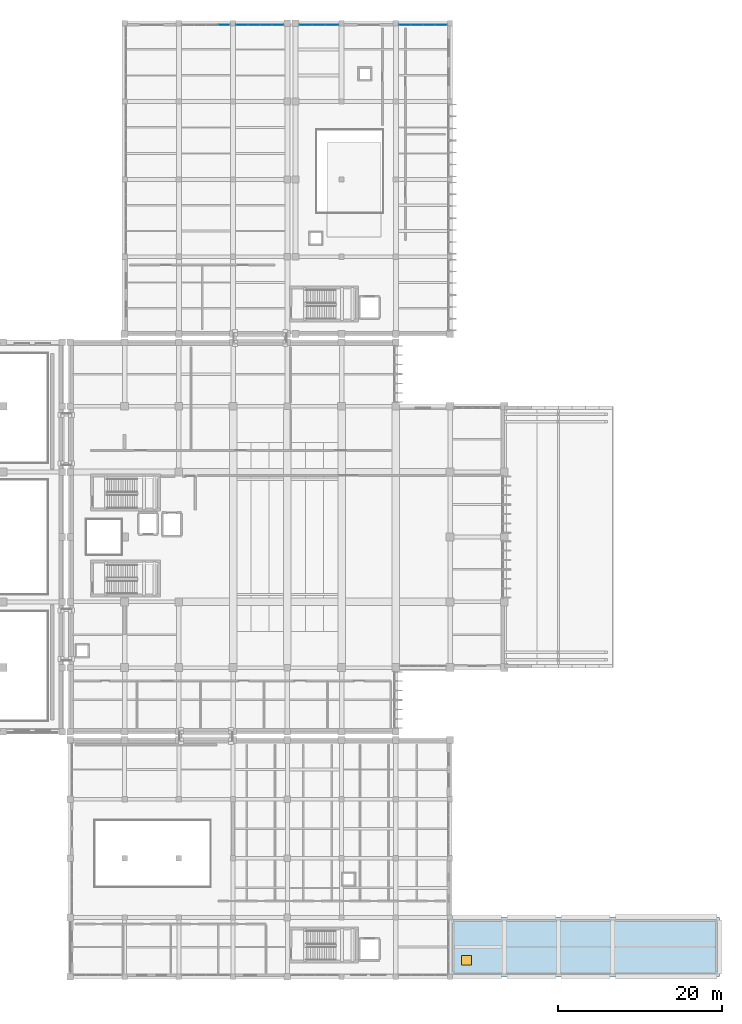
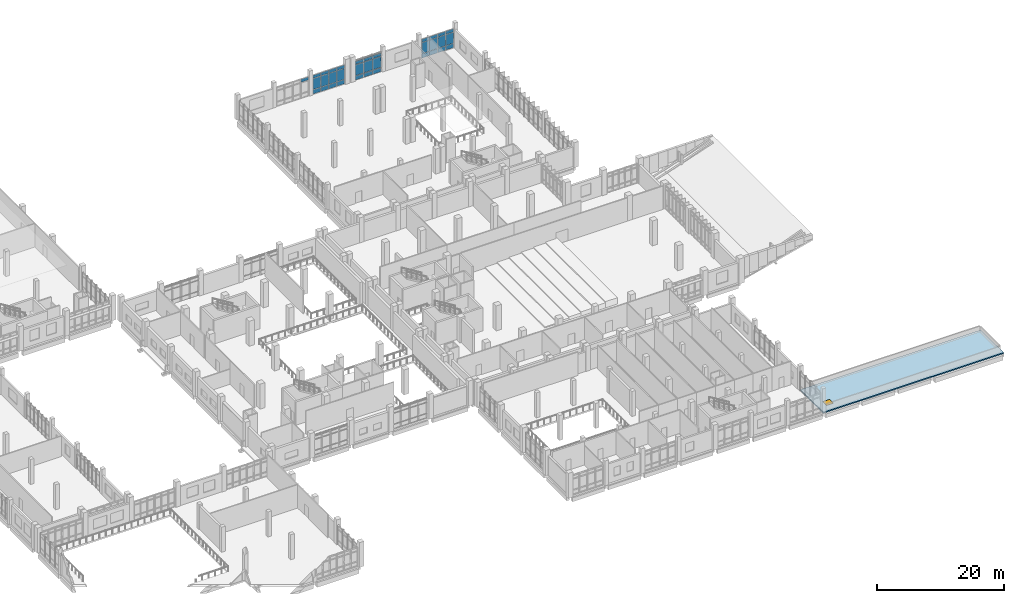
# One storey, part 60 of 90: 34 plates, 1 slab, 1 window, 1 opening, 4 elements without a shape of their own.
"""IFC4 building model written with IfcOpenShell, lengths in metres."""

from ifc_helpers import new_model, si_unit, direction, frame, origin, origin_2d, place, context, subcontext, project, spatial, polyline, rectangle, outline, extrude, material, layer, layer_set, type_object, element, fill, aggregate, save


model = new_model("IFC4")

# Units and contexts
model_context = context("Model", 3, precision=1e-05, world=origin(), true_north=direction((0.0, 1.0)))
body_context = subcontext(model_context, "Body", "Model", "MODEL_VIEW")
ifc_project = project(units=[si_unit("LENGTHUNIT", "METRE"), si_unit("AREAUNIT", "SQUARE_METRE"), si_unit("VOLUMEUNIT", "CUBIC_METRE"), si_unit("PLANEANGLEUNIT", "RADIAN"), si_unit("MASSUNIT", "GRAM", prefix="KILO")], contexts=[model_context])

# Site, building, storey
site_placement = place(None, origin())
site = spatial("IfcSite", under=ifc_project, at=site_placement, CompositionType="ELEMENT")
building_placement = place(site_placement, origin())
building = spatial("IfcBuilding", under=site, at=building_placement, Name="Kelarvand Opera House", CompositionType="ELEMENT")
storey_placement = place(building_placement, frame((0.0, 0.0, 5.39990234375)))
storey = spatial("IfcBuildingStorey", under=building, at=storey_placement, Name="L01", CompositionType="ELEMENT", Elevation=5.39990234375)

# Slab, opening, window
ifc_material_1 = material(Name="Concrete C35/45", Category="concrete")
ifc_layer_1 = layer(ifc_material_1, 0.219970703125, Name="Concrete C35/45", Category="concrete")
ifc_layer_set_1 = layer_set([ifc_layer_1], Name="Concrete C35/45")
slab_type = type_object("IfcSlabType", Name="Flat Structural Roof Slab 220", PredefinedType="ROOF", material=ifc_layer_set_1)
slab_placement = place(storey_placement, frame((0.0, 0.0, -0.219970703125)))
slab = element("IfcSlab", 1, at=slab_placement, inside=storey, type_object=slab_type, Name="V6 Flat Roof Slab L01 1", PredefinedType="ROOF", context=body_context, shape_type="SweptSolid", body=[
    extrude(outline(polyline([(135.199951171875, 9.0), (168.0, 9.0), (168.0, 16.199951171875), (135.199951171875, 16.199951171875), (135.199951171875, 9.0)])), origin(), (0.0, 0.0, 1.0), 0.219970703125),
])
opening_placement = place(slab_placement, frame((137.199951171875, 11.0, 0.0)))
opening = element("IfcOpeningElement", 2, at=opening_placement, cuts=slab, Name="Opening RH-01", PredefinedType="OPENING", context=body_context, shape_type="SweptSolid", body=[
    extrude(rectangle(XDim=1.199951171875, YDim=1.199951171875, at=origin_2d()), frame((0.0, 0.0, -0.010009765625)), (0.0, 0.0, 1.0), 0.239990234375),
])
ifc_material_2 = material(Name="Insulated aluminium roof access hatch", Category="aluminium")
window_type = type_object("IfcWindowType", Name="Insulated Flat-Roof Maintenance Access Hatch 1200x1200", PartitioningType="SINGLE_PANEL", PredefinedType="SKYLIGHT", material=ifc_material_2)
window_placement = place(opening_placement, frame((0.0, 0.0, 0.169921875)))
window = element("IfcWindow", 3, at=window_placement, inside=storey, type_object=window_type, Name="V6 Maintenance Roof Hatch 14", OverallHeight=1.199951171875, OverallWidth=1.199951171875, PartitioningType="SINGLE_PANEL", PredefinedType="SKYLIGHT", context=body_context, shape_type="SweptSolid", body=[
    extrude(rectangle(XDim=1.199951171875, YDim=1.199951171875, at=origin_2d()), origin(), (0.0, 0.0, 1.0), 0.050048828125),
])
fill(opening, window)

# Curtain wall, plate
ifc_material_3 = material(Name="Thermally broken aluminium and low-E glazing", Category="aluminium")
ifc_layer_2 = layer(ifc_material_3, 0.179931640625, Name="Thermally broken aluminium and low-E glazing", Category="aluminium")
ifc_layer_set_2 = layer_set([ifc_layer_2], Name="Thermally broken aluminium and low-E glazing")
curtain_wall_type_1 = type_object("IfcCurtainWallType", Name="Unitised Low-E Curtain Wall 5930x3750 Mod 1450 CWF-44", PredefinedType="USERDEFINED", material=ifc_layer_set_2)
curtain_wall_1_placement = place(storey_placement, origin())
curtain_wall_1 = element("IfcCurtainWall", 4, at=curtain_wall_1_placement, inside=storey, type_object=curtain_wall_type_1, Name="V5 L01 Curtain Wall CWF-44 (180)", ObjectType="UNITISED CURTAIN WALL", PredefinedType="USERDEFINED")
ifc_material_4 = material(Name="Low-E laminated double glazing", Category="glass")
ifc_layer_3 = layer(ifc_material_4, 0.031982421875, Name="Low-E laminated double glazing", Category="glass")
ifc_layer_set_3 = layer_set([ifc_layer_3], Name="Low-E laminated double glazing")
plate_type = type_object("IfcPlateType", Name="Low-E Argon Double Glazed Curtain Panel 32mm", PredefinedType="CURTAIN_PANEL", material=ifc_layer_set_3)
plate_1_placement = place(storey_placement, frame((107.70751953125, 124.820068359375, 3.08251953125), z_axis=(0.0, 0.0, 1.0), x_axis=(1.0, 0.0, 0.0)))
plate_1 = element("IfcPlate", 5, at=plate_1_placement, type_object=plate_type, Name="CWF-44 panel 4.3", PredefinedType="CURTAIN_PANEL", context=body_context, shape_type="SweptSolid", body=[
    extrude(rectangle(XDim=1.385009765625, YDim=0.031982421875, at=origin_2d()), origin(), (0.0, 0.0, 1.0), 0.6025390625),
])
aggregate(curtain_wall_1, [plate_1])

# Curtain wall, plates
ifc_layer_4 = layer(ifc_material_3, 0.179931640625, Name="Thermally broken aluminium and low-E glazing", Category="aluminium")
ifc_layer_set_4 = layer_set([ifc_layer_4], Name="Thermally broken aluminium and low-E glazing")
curtain_wall_type_2 = type_object("IfcCurtainWallType", Name="Unitised Low-E Curtain Wall 5845x3750 Mod 1450 CWF-45", PredefinedType="USERDEFINED", material=ifc_layer_set_4)
curtain_wall_2_placement = place(storey_placement, origin())
curtain_wall_2 = element("IfcCurtainWall", 6, at=curtain_wall_2_placement, inside=storey, type_object=curtain_wall_type_2, Name="V5 L01 Curtain Wall CWF-45 (181)", ObjectType="UNITISED CURTAIN WALL", PredefinedType="USERDEFINED")
plate_2_placement = place(storey_placement, frame((109.8818359375, 124.820068359375, 0.06494140625), z_axis=(0.0, 0.0, 1.0), x_axis=(1.0, 0.0, 0.0)))
plate_2 = element("IfcPlate", 7, at=plate_2_placement, type_object=plate_type, Name="CWF-45 panel 1.1", PredefinedType="CURTAIN_PANEL", context=body_context, shape_type="SweptSolid", body=[
    extrude(rectangle(XDim=1.36376953125, YDim=0.031982421875, at=origin_2d()), origin(), (0.0, 0.0, 1.0), 0.802490234375),
])
plate_3_placement = place(storey_placement, frame((109.8818359375, 124.820068359375, 0.9326171875), z_axis=(0.0, 0.0, 1.0), x_axis=(1.0, 0.0, 0.0)))
plate_3 = element("IfcPlate", 8, at=plate_3_placement, type_object=plate_type, Name="CWF-45 panel 1.2", PredefinedType="CURTAIN_PANEL", context=body_context, shape_type="SweptSolid", body=[
    extrude(rectangle(XDim=1.36376953125, YDim=0.031982421875, at=origin_2d()), origin(), (0.0, 0.0, 1.0), 2.0849609375),
])
plate_4_placement = place(storey_placement, frame((109.8818359375, 124.820068359375, 3.08251953125), z_axis=(0.0, 0.0, 1.0), x_axis=(1.0, 0.0, 0.0)))
plate_4 = element("IfcPlate", 9, at=plate_4_placement, type_object=plate_type, Name="CWF-45 panel 1.3", PredefinedType="CURTAIN_PANEL", context=body_context, shape_type="SweptSolid", body=[
    extrude(rectangle(XDim=1.36376953125, YDim=0.031982421875, at=origin_2d()), origin(), (0.0, 0.0, 1.0), 0.6025390625),
])
plate_5_placement = place(storey_placement, frame((111.326904296875, 124.820068359375, 0.06494140625), z_axis=(0.0, 0.0, 1.0), x_axis=(1.0, 0.0, 0.0)))
plate_5 = element("IfcPlate", 10, at=plate_5_placement, type_object=plate_type, Name="CWF-45 panel 2.1", PredefinedType="CURTAIN_PANEL", context=body_context, shape_type="SweptSolid", body=[
    extrude(rectangle(XDim=1.396240234375, YDim=0.031982421875, at=origin_2d()), origin(), (0.0, 0.0, 1.0), 0.802490234375),
])
plate_6_placement = place(storey_placement, frame((111.326904296875, 124.820068359375, 0.9326171875), z_axis=(0.0, 0.0, 1.0), x_axis=(1.0, 0.0, 0.0)))
plate_6 = element("IfcPlate", 11, at=plate_6_placement, type_object=plate_type, Name="CWF-45 panel 2.2", PredefinedType="CURTAIN_PANEL", context=body_context, shape_type="SweptSolid", body=[
    extrude(rectangle(XDim=1.396240234375, YDim=0.031982421875, at=origin_2d()), origin(), (0.0, 0.0, 1.0), 2.0849609375),
])
plate_7_placement = place(storey_placement, frame((111.326904296875, 124.820068359375, 3.08251953125), z_axis=(0.0, 0.0, 1.0), x_axis=(1.0, 0.0, 0.0)))
plate_7 = element("IfcPlate", 12, at=plate_7_placement, type_object=plate_type, Name="CWF-45 panel 2.3", PredefinedType="CURTAIN_PANEL", context=body_context, shape_type="SweptSolid", body=[
    extrude(rectangle(XDim=1.396240234375, YDim=0.031982421875, at=origin_2d()), origin(), (0.0, 0.0, 1.0), 0.6025390625),
])
plate_8_placement = place(storey_placement, frame((112.7880859375, 124.820068359375, 0.06494140625), z_axis=(0.0, 0.0, 1.0), x_axis=(1.0, 0.0, 0.0)))
plate_8 = element("IfcPlate", 13, at=plate_8_placement, type_object=plate_type, Name="CWF-45 panel 3.1", PredefinedType="CURTAIN_PANEL", context=body_context, shape_type="SweptSolid", body=[
    extrude(rectangle(XDim=1.396240234375, YDim=0.031982421875, at=origin_2d()), origin(), (0.0, 0.0, 1.0), 0.802490234375),
])
plate_9_placement = place(storey_placement, frame((112.7880859375, 124.820068359375, 0.9326171875), z_axis=(0.0, 0.0, 1.0), x_axis=(1.0, 0.0, 0.0)))
plate_9 = element("IfcPlate", 14, at=plate_9_placement, type_object=plate_type, Name="CWF-45 panel 3.2", PredefinedType="CURTAIN_PANEL", context=body_context, shape_type="SweptSolid", body=[
    extrude(rectangle(XDim=1.396240234375, YDim=0.031982421875, at=origin_2d()), origin(), (0.0, 0.0, 1.0), 2.0849609375),
])
plate_10_placement = place(storey_placement, frame((112.7880859375, 124.820068359375, 3.08251953125), z_axis=(0.0, 0.0, 1.0), x_axis=(1.0, 0.0, 0.0)))
plate_10 = element("IfcPlate", 15, at=plate_10_placement, type_object=plate_type, Name="CWF-45 panel 3.3", PredefinedType="CURTAIN_PANEL", context=body_context, shape_type="SweptSolid", body=[
    extrude(rectangle(XDim=1.396240234375, YDim=0.031982421875, at=origin_2d()), origin(), (0.0, 0.0, 1.0), 0.6025390625),
])
plate_11_placement = place(storey_placement, frame((114.233154296875, 124.820068359375, 0.06494140625), z_axis=(0.0, 0.0, 1.0), x_axis=(1.0, 0.0, 0.0)))
plate_11 = element("IfcPlate", 16, at=plate_11_placement, type_object=plate_type, Name="CWF-45 panel 4.1", PredefinedType="CURTAIN_PANEL", context=body_context, shape_type="SweptSolid", body=[
    extrude(rectangle(XDim=1.36376953125, YDim=0.031982421875, at=origin_2d()), origin(), (0.0, 0.0, 1.0), 0.802490234375),
])
plate_12_placement = place(storey_placement, frame((114.233154296875, 124.820068359375, 0.9326171875), z_axis=(0.0, 0.0, 1.0), x_axis=(1.0, 0.0, 0.0)))
plate_12 = element("IfcPlate", 17, at=plate_12_placement, type_object=plate_type, Name="CWF-45 panel 4.2", PredefinedType="CURTAIN_PANEL", context=body_context, shape_type="SweptSolid", body=[
    extrude(rectangle(XDim=1.36376953125, YDim=0.031982421875, at=origin_2d()), origin(), (0.0, 0.0, 1.0), 2.0849609375),
])
plate_13_placement = place(storey_placement, frame((114.233154296875, 124.820068359375, 3.08251953125), z_axis=(0.0, 0.0, 1.0), x_axis=(1.0, 0.0, 0.0)))
plate_13 = element("IfcPlate", 18, at=plate_13_placement, type_object=plate_type, Name="CWF-45 panel 4.3", PredefinedType="CURTAIN_PANEL", context=body_context, shape_type="SweptSolid", body=[
    extrude(rectangle(XDim=1.36376953125, YDim=0.031982421875, at=origin_2d()), origin(), (0.0, 0.0, 1.0), 0.6025390625),
])
aggregate(curtain_wall_2, [plate_2, plate_3, plate_4, plate_5, plate_6, plate_7, plate_8, plate_9, plate_10, plate_11, plate_12, plate_13])

ifc_layer_5 = layer(ifc_material_3, 0.179931640625, Name="Thermally broken aluminium and low-E glazing", Category="aluminium")
ifc_layer_set_5 = layer_set([ifc_layer_5], Name="Thermally broken aluminium and low-E glazing")
curtain_wall_type_3 = type_object("IfcCurtainWallType", Name="Unitised Low-E Curtain Wall 4845x3750 Mod 1450 CWF-46", PredefinedType="USERDEFINED", material=ifc_layer_set_5)
curtain_wall_3_placement = place(storey_placement, origin())
curtain_wall_3 = element("IfcCurtainWall", 19, at=curtain_wall_3_placement, inside=storey, type_object=curtain_wall_type_3, Name="V5 L01 Curtain Wall CWF-46 (182)", ObjectType="UNITISED CURTAIN WALL", PredefinedType="USERDEFINED")
plate_14_placement = place(storey_placement, frame((117.643798828125, 124.820068359375, 0.06494140625), z_axis=(0.0, 0.0, 1.0), x_axis=(1.0, 0.0, 0.0)))
plate_14 = element("IfcPlate", 20, at=plate_14_placement, type_object=plate_type, Name="CWF-46 panel 1.1", PredefinedType="CURTAIN_PANEL", context=body_context, shape_type="SweptSolid", body=[
    extrude(rectangle(XDim=1.517578125, YDim=0.031982421875, at=origin_2d()), origin(), (0.0, 0.0, 1.0), 0.802490234375),
])
plate_15_placement = place(storey_placement, frame((117.643798828125, 124.820068359375, 0.9326171875), z_axis=(0.0, 0.0, 1.0), x_axis=(1.0, 0.0, 0.0)))
plate_15 = element("IfcPlate", 21, at=plate_15_placement, type_object=plate_type, Name="CWF-46 panel 1.2", PredefinedType="CURTAIN_PANEL", context=body_context, shape_type="SweptSolid", body=[
    extrude(rectangle(XDim=1.517578125, YDim=0.031982421875, at=origin_2d()), origin(), (0.0, 0.0, 1.0), 2.0849609375),
])
plate_16_placement = place(storey_placement, frame((117.643798828125, 124.820068359375, 3.08251953125), z_axis=(0.0, 0.0, 1.0), x_axis=(1.0, 0.0, 0.0)))
plate_16 = element("IfcPlate", 22, at=plate_16_placement, type_object=plate_type, Name="CWF-46 panel 1.3", PredefinedType="CURTAIN_PANEL", context=body_context, shape_type="SweptSolid", body=[
    extrude(rectangle(XDim=1.517578125, YDim=0.031982421875, at=origin_2d()), origin(), (0.0, 0.0, 1.0), 0.6025390625),
])
plate_17_placement = place(storey_placement, frame((119.242431640625, 124.820068359375, 0.06494140625), z_axis=(0.0, 0.0, 1.0), x_axis=(1.0, 0.0, 0.0)))
plate_17 = element("IfcPlate", 23, at=plate_17_placement, type_object=plate_type, Name="CWF-46 panel 2.1", PredefinedType="CURTAIN_PANEL", context=body_context, shape_type="SweptSolid", body=[
    extrude(rectangle(XDim=1.550048828125, YDim=0.031982421875, at=origin_2d()), origin(), (0.0, 0.0, 1.0), 0.802490234375),
])
plate_18_placement = place(storey_placement, frame((119.242431640625, 124.820068359375, 0.9326171875), z_axis=(0.0, 0.0, 1.0), x_axis=(1.0, 0.0, 0.0)))
plate_18 = element("IfcPlate", 24, at=plate_18_placement, type_object=plate_type, Name="CWF-46 panel 2.2", PredefinedType="CURTAIN_PANEL", context=body_context, shape_type="SweptSolid", body=[
    extrude(rectangle(XDim=1.550048828125, YDim=0.031982421875, at=origin_2d()), origin(), (0.0, 0.0, 1.0), 2.0849609375),
])
plate_19_placement = place(storey_placement, frame((119.242431640625, 124.820068359375, 3.08251953125), z_axis=(0.0, 0.0, 1.0), x_axis=(1.0, 0.0, 0.0)))
plate_19 = element("IfcPlate", 25, at=plate_19_placement, type_object=plate_type, Name="CWF-46 panel 2.3", PredefinedType="CURTAIN_PANEL", context=body_context, shape_type="SweptSolid", body=[
    extrude(rectangle(XDim=1.550048828125, YDim=0.031982421875, at=origin_2d()), origin(), (0.0, 0.0, 1.0), 0.6025390625),
])
plate_20_placement = place(storey_placement, frame((120.84130859375, 124.820068359375, 0.06494140625), z_axis=(0.0, 0.0, 1.0), x_axis=(1.0, 0.0, 0.0)))
plate_20 = element("IfcPlate", 26, at=plate_20_placement, type_object=plate_type, Name="CWF-46 panel 3.1", PredefinedType="CURTAIN_PANEL", context=body_context, shape_type="SweptSolid", body=[
    extrude(rectangle(XDim=1.517578125, YDim=0.031982421875, at=origin_2d()), origin(), (0.0, 0.0, 1.0), 0.802490234375),
])
plate_21_placement = place(storey_placement, frame((120.84130859375, 124.820068359375, 0.9326171875), z_axis=(0.0, 0.0, 1.0), x_axis=(1.0, 0.0, 0.0)))
plate_21 = element("IfcPlate", 27, at=plate_21_placement, type_object=plate_type, Name="CWF-46 panel 3.2", PredefinedType="CURTAIN_PANEL", context=body_context, shape_type="SweptSolid", body=[
    extrude(rectangle(XDim=1.517578125, YDim=0.031982421875, at=origin_2d()), origin(), (0.0, 0.0, 1.0), 2.0849609375),
])
plate_22_placement = place(storey_placement, frame((120.84130859375, 124.820068359375, 3.08251953125), z_axis=(0.0, 0.0, 1.0), x_axis=(1.0, 0.0, 0.0)))
plate_22 = element("IfcPlate", 28, at=plate_22_placement, type_object=plate_type, Name="CWF-46 panel 3.3", PredefinedType="CURTAIN_PANEL", context=body_context, shape_type="SweptSolid", body=[
    extrude(rectangle(XDim=1.517578125, YDim=0.031982421875, at=origin_2d()), origin(), (0.0, 0.0, 1.0), 0.6025390625),
])
aggregate(curtain_wall_3, [plate_14, plate_15, plate_16, plate_17, plate_18, plate_19, plate_20, plate_21, plate_22])

curtain_wall_4_placement = place(storey_placement, origin())
curtain_wall_4 = element("IfcCurtainWall", 29, at=curtain_wall_4_placement, inside=storey, type_object=curtain_wall_type_1, Name="V5 L01 Curtain Wall CWF-44 (183)", ObjectType="UNITISED CURTAIN WALL", PredefinedType="USERDEFINED")
plate_23_placement = place(storey_placement, frame((129.6923828125, 124.820068359375, 0.06494140625), z_axis=(0.0, 0.0, 1.0), x_axis=(1.0, 0.0, 0.0)))
plate_23 = element("IfcPlate", 30, at=plate_23_placement, type_object=plate_type, Name="CWF-44 panel 1.1", PredefinedType="CURTAIN_PANEL", context=body_context, shape_type="SweptSolid", body=[
    extrude(rectangle(XDim=1.385009765625, YDim=0.031982421875, at=origin_2d()), origin(), (0.0, 0.0, 1.0), 0.802490234375),
])
plate_24_placement = place(storey_placement, frame((129.6923828125, 124.820068359375, 0.9326171875), z_axis=(0.0, 0.0, 1.0), x_axis=(1.0, 0.0, 0.0)))
plate_24 = element("IfcPlate", 31, at=plate_24_placement, type_object=plate_type, Name="CWF-44 panel 1.2", PredefinedType="CURTAIN_PANEL", context=body_context, shape_type="SweptSolid", body=[
    extrude(rectangle(XDim=1.385009765625, YDim=0.031982421875, at=origin_2d()), origin(), (0.0, 0.0, 1.0), 2.0849609375),
])
plate_25_placement = place(storey_placement, frame((129.6923828125, 124.820068359375, 3.08251953125), z_axis=(0.0, 0.0, 1.0), x_axis=(1.0, 0.0, 0.0)))
plate_25 = element("IfcPlate", 32, at=plate_25_placement, type_object=plate_type, Name="CWF-44 panel 1.3", PredefinedType="CURTAIN_PANEL", context=body_context, shape_type="SweptSolid", body=[
    extrude(rectangle(XDim=1.385009765625, YDim=0.031982421875, at=origin_2d()), origin(), (0.0, 0.0, 1.0), 0.6025390625),
])
plate_26_placement = place(storey_placement, frame((131.15869140625, 124.820068359375, 0.06494140625), z_axis=(0.0, 0.0, 1.0), x_axis=(1.0, 0.0, 0.0)))
plate_26 = element("IfcPlate", 33, at=plate_26_placement, type_object=plate_type, Name="CWF-44 panel 2.1", PredefinedType="CURTAIN_PANEL", context=body_context, shape_type="SweptSolid", body=[
    extrude(rectangle(XDim=1.41748046875, YDim=0.031982421875, at=origin_2d()), origin(), (0.0, 0.0, 1.0), 0.802490234375),
])
plate_27_placement = place(storey_placement, frame((131.15869140625, 124.820068359375, 0.9326171875), z_axis=(0.0, 0.0, 1.0), x_axis=(1.0, 0.0, 0.0)))
plate_27 = element("IfcPlate", 34, at=plate_27_placement, type_object=plate_type, Name="CWF-44 panel 2.2", PredefinedType="CURTAIN_PANEL", context=body_context, shape_type="SweptSolid", body=[
    extrude(rectangle(XDim=1.41748046875, YDim=0.031982421875, at=origin_2d()), origin(), (0.0, 0.0, 1.0), 2.0849609375),
])
plate_28_placement = place(storey_placement, frame((131.15869140625, 124.820068359375, 3.08251953125), z_axis=(0.0, 0.0, 1.0), x_axis=(1.0, 0.0, 0.0)))
plate_28 = element("IfcPlate", 35, at=plate_28_placement, type_object=plate_type, Name="CWF-44 panel 2.3", PredefinedType="CURTAIN_PANEL", context=body_context, shape_type="SweptSolid", body=[
    extrude(rectangle(XDim=1.41748046875, YDim=0.031982421875, at=origin_2d()), origin(), (0.0, 0.0, 1.0), 0.6025390625),
])
plate_29_placement = place(storey_placement, frame((132.641357421875, 124.820068359375, 0.06494140625), z_axis=(0.0, 0.0, 1.0), x_axis=(1.0, 0.0, 0.0)))
plate_29 = element("IfcPlate", 36, at=plate_29_placement, type_object=plate_type, Name="CWF-44 panel 3.1", PredefinedType="CURTAIN_PANEL", context=body_context, shape_type="SweptSolid", body=[
    extrude(rectangle(XDim=1.41748046875, YDim=0.031982421875, at=origin_2d()), origin(), (0.0, 0.0, 1.0), 0.802490234375),
])
plate_30_placement = place(storey_placement, frame((132.641357421875, 124.820068359375, 0.9326171875), z_axis=(0.0, 0.0, 1.0), x_axis=(1.0, 0.0, 0.0)))
plate_30 = element("IfcPlate", 37, at=plate_30_placement, type_object=plate_type, Name="CWF-44 panel 3.2", PredefinedType="CURTAIN_PANEL", context=body_context, shape_type="SweptSolid", body=[
    extrude(rectangle(XDim=1.41748046875, YDim=0.031982421875, at=origin_2d()), origin(), (0.0, 0.0, 1.0), 2.0849609375),
])
plate_31_placement = place(storey_placement, frame((132.641357421875, 124.820068359375, 3.08251953125), z_axis=(0.0, 0.0, 1.0), x_axis=(1.0, 0.0, 0.0)))
plate_31 = element("IfcPlate", 38, at=plate_31_placement, type_object=plate_type, Name="CWF-44 panel 3.3", PredefinedType="CURTAIN_PANEL", context=body_context, shape_type="SweptSolid", body=[
    extrude(rectangle(XDim=1.41748046875, YDim=0.031982421875, at=origin_2d()), origin(), (0.0, 0.0, 1.0), 0.6025390625),
])
plate_32_placement = place(storey_placement, frame((134.107421875, 124.820068359375, 0.06494140625), z_axis=(0.0, 0.0, 1.0), x_axis=(1.0, 0.0, 0.0)))
plate_32 = element("IfcPlate", 39, at=plate_32_placement, type_object=plate_type, Name="CWF-44 panel 4.1", PredefinedType="CURTAIN_PANEL", context=body_context, shape_type="SweptSolid", body=[
    extrude(rectangle(XDim=1.385009765625, YDim=0.031982421875, at=origin_2d()), origin(), (0.0, 0.0, 1.0), 0.802490234375),
])
plate_33_placement = place(storey_placement, frame((134.107421875, 124.820068359375, 0.9326171875), z_axis=(0.0, 0.0, 1.0), x_axis=(1.0, 0.0, 0.0)))
plate_33 = element("IfcPlate", 40, at=plate_33_placement, type_object=plate_type, Name="CWF-44 panel 4.2", PredefinedType="CURTAIN_PANEL", context=body_context, shape_type="SweptSolid", body=[
    extrude(rectangle(XDim=1.385009765625, YDim=0.031982421875, at=origin_2d()), origin(), (0.0, 0.0, 1.0), 2.0849609375),
])
plate_34_placement = place(storey_placement, frame((134.107421875, 124.820068359375, 3.08251953125), z_axis=(0.0, 0.0, 1.0), x_axis=(1.0, 0.0, 0.0)))
plate_34 = element("IfcPlate", 41, at=plate_34_placement, type_object=plate_type, Name="CWF-44 panel 4.3", PredefinedType="CURTAIN_PANEL", context=body_context, shape_type="SweptSolid", body=[
    extrude(rectangle(XDim=1.385009765625, YDim=0.031982421875, at=origin_2d()), origin(), (0.0, 0.0, 1.0), 0.6025390625),
])
aggregate(curtain_wall_4, [plate_23, plate_24, plate_25, plate_26, plate_27, plate_28, plate_29, plate_30, plate_31, plate_32, plate_33, plate_34])

save(model, "model.ifc")
